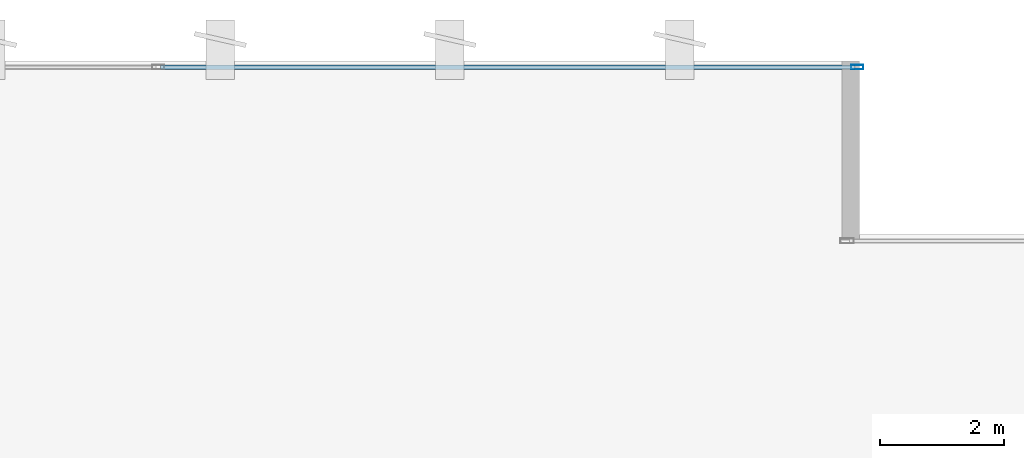
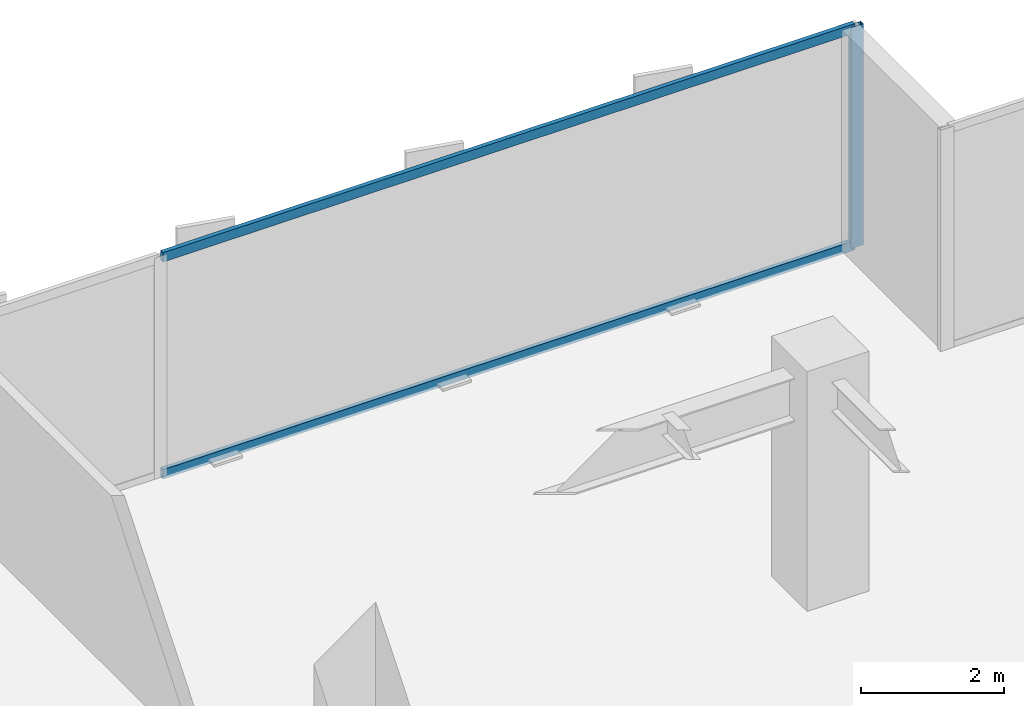
# One storey, part 27 of 36: 3 members, 1 element without a shape of its own.
"""IFC4 building model written with IfcOpenShell, lengths in metres."""

from ifc_helpers import new_model, si_unit, direction, frame, origin, origin_2d, place, context, subcontext, project, spatial, hollow_rectangle, extrude, source, transform, mapped, material, layer, layer_set, material_profile, profile_set, type_object, type_shapes, element, aggregate, save


model = new_model("IFC4")

# Units and contexts
model_context = context("Model", 3, precision=1e-05, world=origin(), true_north=direction((0.0, 1.0)))
body_context = subcontext(model_context, "Body", "Model", "MODEL_VIEW")
ifc_project = project(units=[si_unit("LENGTHUNIT", "METRE"), si_unit("AREAUNIT", "SQUARE_METRE"), si_unit("VOLUMEUNIT", "CUBIC_METRE"), si_unit("PLANEANGLEUNIT", "RADIAN"), si_unit("MASSUNIT", "GRAM", prefix="KILO")], contexts=[model_context])

# Site, building, storey
site_placement = place(None, origin())
site = spatial("IfcSite", under=ifc_project, at=site_placement, CompositionType="ELEMENT")
building_placement = place(site_placement, origin())
building = spatial("IfcBuilding", under=site, at=building_placement, Name="Haelvirn Gate Laboratories", CompositionType="ELEMENT")
storey_placement = place(building_placement, frame((0.0, 0.0, 29.300048828125)))
storey = spatial("IfcBuildingStorey", under=building, at=storey_placement, Name="L07", CompositionType="ELEMENT", Elevation=29.300048828125)

# Curtain wall, members
ifc_material_1 = material(Name="Anodised bronze unitised aluminium & triple low-E glass", Category="aluminium")
ifc_layer = layer(ifc_material_1, 0.18408203125, Name="CW-SYS-2")
ifc_layer_set = layer_set([ifc_layer], Name="Anodised bronze unitised aluminium & triple low-E glass")
curtain_wall_type = type_object("IfcCurtainWallType", Name="CW-SYS-2", PredefinedType="NOTDEFINED", material=ifc_layer_set)
curtain_wall_placement = place(storey_placement, origin())
curtain_wall = element("IfcCurtainWall", 1, at=curtain_wall_placement, inside=storey, type_object=curtain_wall_type, Name="L07 Unitised Curtain Wall CW-L07-P0-E10-1", PredefinedType="NOTDEFINED")
ifc_material_2 = material(Name="Extruded aluminium 6063-T6 (anodised bronze)", Category="aluminium")
ifc_material_profile_1 = material_profile(ifc_material_2, hollow_rectangle(XDim=0.074951171875, YDim=0.199951171875, WallThickness=0.0048828125, at=origin_2d()), Name="CWM-200x75x5")
ifc_profile_set_1 = profile_set([ifc_material_profile_1], Name="Extruded aluminium 6063-T6 (anodised bronze)")
member_type_1 = type_object("IfcMemberType", Name="CWM-T200", PredefinedType="MULLION", material=ifc_profile_set_1)
shared_shape_1 = source(origin(), body_context, "Body", "SweptSolid", [
    extrude(hollow_rectangle(XDim=0.074951171875, YDim=0.199951171875, WallThickness=0.0048828125, at=origin_2d()), origin(), (0.0, 0.0, 1.0), 3.780029296875),
])
type_shapes(member_type_1, [shared_shape_1])
member_1_placement = place(storey_placement, frame((71.96240234375, 48.5, 0.0), z_axis=(0.0, 0.0, 1.0), x_axis=(0.0, 1.0, 0.0)))
member_1 = element("IfcMember", 2, at=member_1_placement, type_object=member_type_1, Name="CW2 mullion 3", PredefinedType="MULLION", context=body_context, shape_type="MappedRepresentation", body=[
    mapped(shared_shape_1, transform((0.0, 0.0, 0.0), scale=1.0)),
])
ifc_material_profile_2 = material_profile(ifc_material_2, hollow_rectangle(XDim=0.070068359375, YDim=0.159912109375, WallThickness=0.0048828125, at=origin_2d()), Name="CWT-160x70x5")
ifc_profile_set_2 = profile_set([ifc_material_profile_2], Name="Extruded aluminium 6063-T6 (anodised bronze)")
member_type_2 = type_object("IfcMemberType", Name="CWT-T160", PredefinedType="USERDEFINED", material=ifc_profile_set_2)
shared_shape_2 = source(origin(), body_context, "Body", "SweptSolid", [
    extrude(hollow_rectangle(XDim=0.070068359375, YDim=0.159912109375, WallThickness=0.0048828125, at=origin_2d()), origin(), (0.0, 0.0, 1.0), 11.1875),
])
type_shapes(member_type_2, [shared_shape_2])
member_2_placement = place(storey_placement, frame((60.737548828125, 48.5, 0.034912109375), z_axis=(1.0, 0.0, 0.0), x_axis=(0.0, 1.0, 0.0)))
member_2 = element("IfcMember", 3, at=member_2_placement, type_object=member_type_2, Name="CW2 transom 2.1", ObjectType="TRANSOM", PredefinedType="USERDEFINED", context=body_context, shape_type="MappedRepresentation", body=[
    mapped(shared_shape_2, transform((0.0, 0.0, 0.0), scale=1.0)),
])
member_3_placement = place(storey_placement, frame((60.737548828125, 48.5, 3.744873046875), z_axis=(1.0, 0.0, 0.0), x_axis=(0.0, 1.0, 0.0)))
member_3 = element("IfcMember", 4, at=member_3_placement, type_object=member_type_2, Name="CW2 transom 2.2", ObjectType="TRANSOM", PredefinedType="USERDEFINED", context=body_context, shape_type="MappedRepresentation", body=[
    mapped(shared_shape_2, transform((0.0, 0.0, 0.0), scale=1.0)),
])
aggregate(curtain_wall, [member_1, member_2, member_3])

save(model, "model.ifc")
